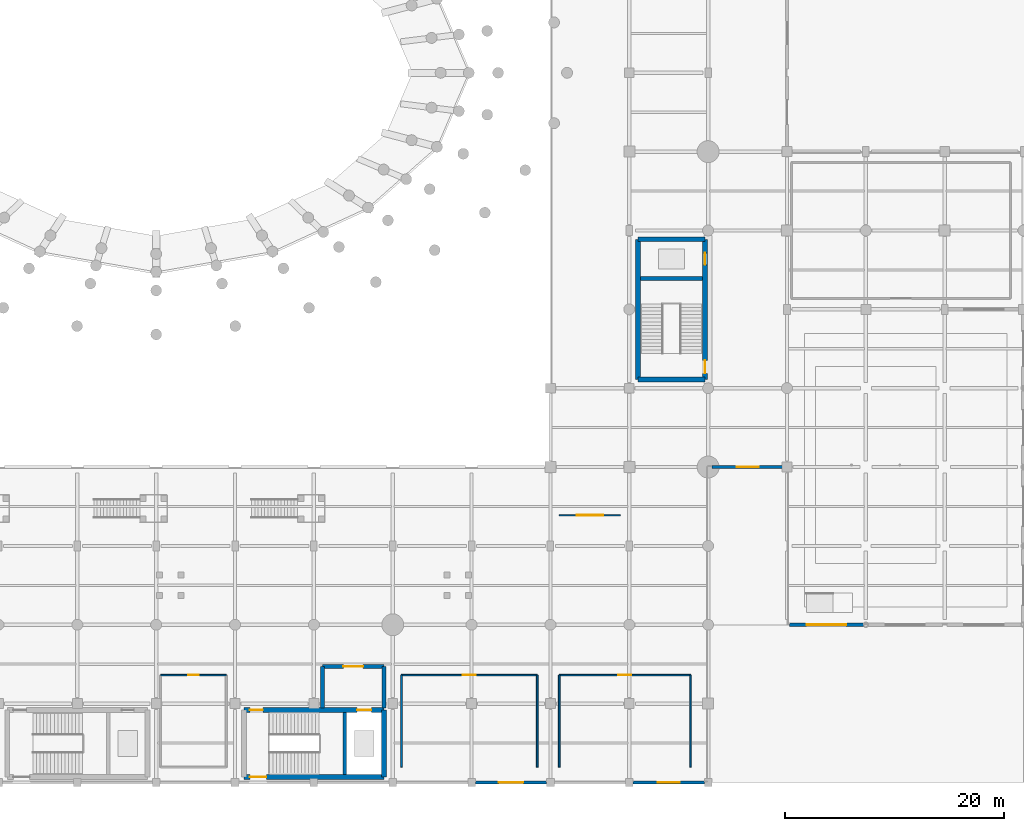
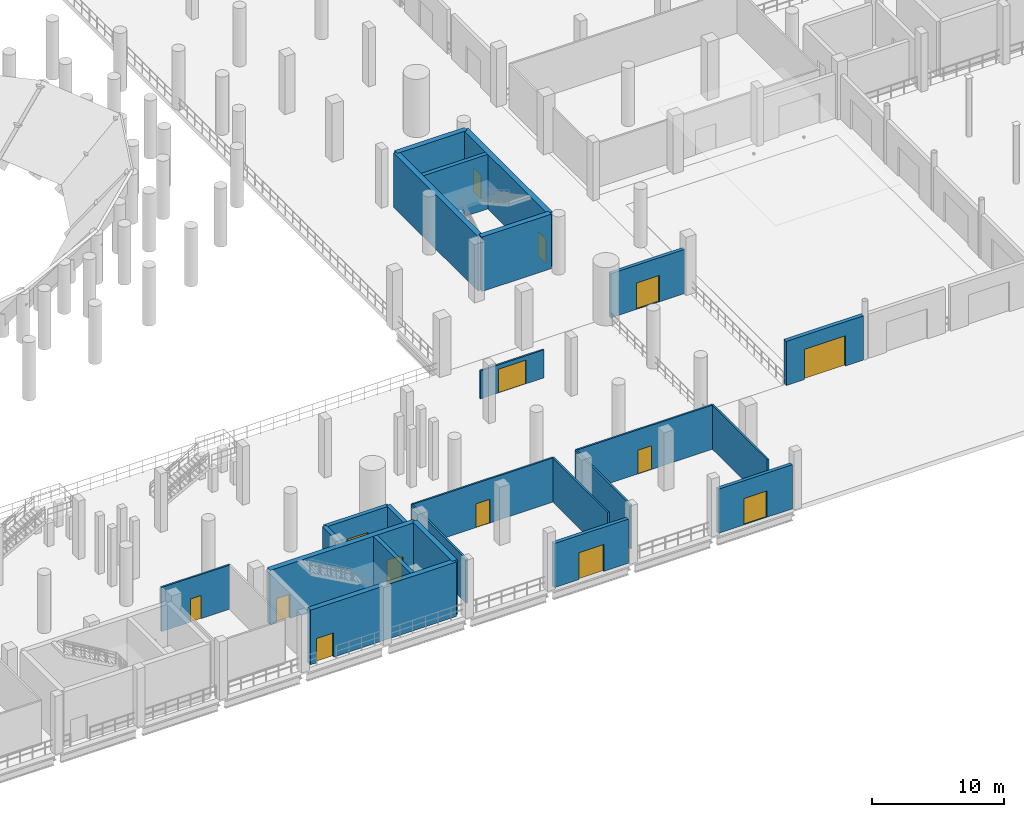
# One storey, part 34 of 58: 24 walls, 14 doors, 14 openings.
"""IFC4 building model written with IfcOpenShell, lengths in metres."""

from ifc_helpers import new_model, si_unit, direction, frame, frame_2d, origin, place, context, subcontext, project, spatial, rectangle, extrude, material, layer, layer_set, type_object, element, fill, save


model = new_model("IFC4")

# Units and contexts
model_context = context("Model", 3, precision=1e-05, world=origin(), true_north=direction((0.0, 1.0)))
body_context = subcontext(model_context, "Body", "Model", "MODEL_VIEW")
ifc_project = project(units=[si_unit("LENGTHUNIT", "METRE"), si_unit("AREAUNIT", "SQUARE_METRE"), si_unit("VOLUMEUNIT", "CUBIC_METRE"), si_unit("PLANEANGLEUNIT", "RADIAN"), si_unit("MASSUNIT", "GRAM", prefix="KILO")], contexts=[model_context])

# Site, building, storey
site_placement = place(None, origin())
site = spatial("IfcSite", under=ifc_project, at=site_placement, CompositionType="ELEMENT")
building_placement = place(site_placement, origin())
building = spatial("IfcBuilding", under=site, at=building_placement, Name="Qandorah Velis Arena", CompositionType="ELEMENT")
storey_placement = place(building_placement, origin())
storey = spatial("IfcBuildingStorey", under=building, at=storey_placement, Name="L00", CompositionType="ELEMENT", Elevation=0.0)

# Wall, opening, door
ifc_material_1 = material(Name="Precast concrete C40/50", Category="concrete")
ifc_layer_1 = layer(ifc_material_1, 0.2900390625)
ifc_layer_set_1 = layer_set([ifc_layer_1], Name="Precast concrete C40/50")
wall_type_1 = type_object("IfcWallType", Name="ARC-WAL-EXT290", PredefinedType="SOLIDWALL", material=ifc_layer_set_1)
wall_1_placement = place(storey_placement, frame((115.550048828125, 28.800048828125, 0.0), z_axis=(0.0, 0.0, 1.0), x_axis=(1.0, 0.0, 0.0)))
wall_1 = element("IfcWall", 1, at=wall_1_placement, inside=storey, type_object=wall_type_1, Name="Perimeter concourse exit wall G15", PredefinedType="SOLIDWALL", context=body_context, shape_type="SweptSolid", body=[
    extrude(rectangle(XDim=6.5, YDim=0.2900390625, at=frame_2d((3.25, 0.0))), origin(), (0.0, 0.0, 1.0), 4.10009765625),
])
opening_1_placement = place(wall_1_placement, frame((2.25, 0.0, 0.0)))
opening_1 = element("IfcOpeningElement", 2, at=opening_1_placement, cuts=wall_1, Name="Opening G15", PredefinedType="OPENING", context=body_context, shape_type="SweptSolid", body=[
    extrude(rectangle(XDim=2.0, YDim=2.449951171875, at=frame_2d((1.0, 1.22509765625))), frame((0.0, 0.155029296875, 0.0), z_axis=(0.0, -1.0, 0.0), x_axis=(1.0, 0.0, 0.0)), (0.0, 0.0, 1.0), 0.31005859375),
])
ifc_material_2 = material(Name="Insulated galvanized steel exit door", Category="steel")
door_type_1 = type_object("IfcDoorType", Name="ARC-DR-EXT2000", OperationType="NOTDEFINED", PredefinedType="DOOR", material=ifc_material_2)
door_1_placement = place(opening_1_placement, frame((2.0, 0.0, 0.0), z_axis=(0.0, 0.0, 1.0), x_axis=(-1.0, 0.0, 0.0)))
door_1 = element("IfcDoor", 3, at=door_1_placement, inside=storey, type_object=door_type_1, Name="Pedestrian exit door G15", OperationType="SINGLE_SWING_RIGHT", OverallHeight=2.449951171875, OverallWidth=2.0, PredefinedType="DOOR", context=body_context, shape_type="SweptSolid", body=[
    extrude(rectangle(XDim=2.0, YDim=2.449951171875, at=frame_2d((1.0, 1.22509765625))), frame((0.0, 0.02490234375, 0.0), z_axis=(0.0, -1.0, 0.0), x_axis=(1.0, 0.0, 0.0)), (0.0, 0.0, 1.0), 0.050048828125),
])
fill(opening_1, door_1)

wall_2_placement = place(storey_placement, frame((108.35009765625, 0.0, 0.0), z_axis=(0.0, 0.0, 1.0), x_axis=(1.0, 0.0, 0.0)))
wall_2 = element("IfcWall", 4, at=wall_2_placement, inside=storey, type_object=wall_type_1, Name="Perimeter concourse exit wall G27", PredefinedType="SOLIDWALL", context=body_context, shape_type="SweptSolid", body=[
    extrude(rectangle(XDim=6.5, YDim=0.2900390625, at=frame_2d((3.25, 0.0))), origin(), (0.0, 0.0, 1.0), 4.10009765625),
])
opening_2_placement = place(wall_2_placement, frame((2.25, 0.0, 0.0)))
opening_2 = element("IfcOpeningElement", 5, at=opening_2_placement, cuts=wall_2, Name="Opening G27", PredefinedType="OPENING", context=body_context, shape_type="SweptSolid", body=[
    extrude(rectangle(XDim=2.0, YDim=2.449951171875, at=frame_2d((1.0, 1.22509765625))), frame((0.0, 0.155029296875, 0.0), z_axis=(0.0, -1.0, 0.0), x_axis=(1.0, 0.0, 0.0)), (0.0, 0.0, 1.0), 0.31005859375),
])
door_2_placement = place(opening_2_placement, frame((2.0, 0.0, 0.0), z_axis=(0.0, 0.0, 1.0), x_axis=(-1.0, 0.0, 0.0)))
door_2 = element("IfcDoor", 6, at=door_2_placement, inside=storey, type_object=door_type_1, Name="Pedestrian exit door G27", OperationType="SINGLE_SWING_RIGHT", OverallHeight=2.449951171875, OverallWidth=2.0, PredefinedType="DOOR", context=body_context, shape_type="SweptSolid", body=[
    extrude(rectangle(XDim=2.0, YDim=2.449951171875, at=frame_2d((1.0, 1.22509765625))), frame((0.0, 0.02490234375, 0.0), z_axis=(0.0, -1.0, 0.0), x_axis=(1.0, 0.0, 0.0)), (0.0, 0.0, 1.0), 0.050048828125),
])
fill(opening_2, door_2)

ifc_layer_2 = layer(ifc_material_1, 0.31005859375)
ifc_layer_set_2 = layer_set([ifc_layer_2], Name="Precast concrete C40/50")
wall_type_2 = type_object("IfcWallType", Name="ARC-WAL-EXT310", PredefinedType="SOLIDWALL", material=ifc_layer_set_2)
wall_3_placement = place(storey_placement, frame((93.949951171875, 0.0, 0.0), z_axis=(0.0, 0.0, 1.0), x_axis=(1.0, 0.0, 0.0)))
wall_3 = element("IfcWall", 7, at=wall_3_placement, inside=storey, type_object=wall_type_2, Name="Perimeter concourse exit wall G14", PredefinedType="SOLIDWALL", context=body_context, shape_type="SweptSolid", body=[
    extrude(rectangle(XDim=6.5, YDim=0.31005859375, at=frame_2d((3.25, 0.0))), origin(), (0.0, 0.0, 1.0), 4.10009765625),
])
opening_3_placement = place(wall_3_placement, frame((2.14990234375, 0.0, 0.0)))
opening_3 = element("IfcOpeningElement", 8, at=opening_3_placement, cuts=wall_3, Name="Opening G14", PredefinedType="OPENING", context=body_context, shape_type="SweptSolid", body=[
    extrude(rectangle(XDim=2.199951171875, YDim=2.5, at=frame_2d((1.10009765625, 1.25))), frame((0.0, 0.1650390625, 0.0), z_axis=(0.0, -1.0, 0.0), x_axis=(1.0, 0.0, 0.0)), (0.0, 0.0, 1.0), 0.330078125),
])
door_type_2 = type_object("IfcDoorType", Name="ARC-DR-EXT2200", OperationType="NOTDEFINED", PredefinedType="DOOR", material=ifc_material_2)
door_3_placement = place(opening_3_placement, frame((2.199951171875, 0.0, 0.0), z_axis=(0.0, 0.0, 1.0), x_axis=(-1.0, 0.0, 0.0)))
door_3 = element("IfcDoor", 9, at=door_3_placement, inside=storey, type_object=door_type_2, Name="Pedestrian exit door G14", OperationType="SINGLE_SWING_LEFT", OverallHeight=2.5, OverallWidth=2.199951171875, PredefinedType="DOOR", context=body_context, shape_type="SweptSolid", body=[
    extrude(rectangle(XDim=2.199951171875, YDim=2.5, at=frame_2d((1.10009765625, 1.25))), frame((0.0, 0.02490234375, 0.0), z_axis=(0.0, -1.0, 0.0), x_axis=(1.0, 0.0, 0.0)), (0.0, 0.0, 1.0), 0.050048828125),
])
fill(opening_3, door_3)

ifc_layer_3 = layer(ifc_material_1, 0.340087890625)
ifc_layer_set_3 = layer_set([ifc_layer_3], Name="Precast concrete C40/50")
wall_type_3 = type_object("IfcWallType", Name="ARC-WAL-EXT340", PredefinedType="SOLIDWALL", material=ifc_layer_set_3)
wall_4_placement = place(storey_placement, frame((122.6201171875, 14.39990234375, 0.0), z_axis=(0.0, 0.0, 1.0), x_axis=(1.0, 0.0, 0.0)))
wall_4 = element("IfcWall", 10, at=wall_4_placement, inside=storey, type_object=wall_type_3, Name="Arrival foyer entrance portal wall 1", PredefinedType="SOLIDWALL", context=body_context, shape_type="SweptSolid", body=[
    extrude(rectangle(XDim=6.759765625, YDim=0.340087890625, at=frame_2d((3.3798828125, 0.0))), origin(), (0.0, 0.0, 1.0), 4.10009765625),
])
opening_4_placement = place(wall_4_placement, frame((1.580078125, 0.0, 0.0)))
opening_4 = element("IfcOpeningElement", 11, at=opening_4_placement, cuts=wall_4, Name="Opening E1", PredefinedType="OPENING", context=body_context, shape_type="SweptSolid", body=[
    extrude(rectangle(XDim=3.60009765625, YDim=2.800048828125, at=frame_2d((1.800048828125, 1.39990234375))), frame((0.0, 0.18017578125, 0.0), z_axis=(0.0, -1.0, 0.0), x_axis=(1.0, 0.0, 0.0)), (0.0, 0.0, 1.0), 0.360107421875),
])
ifc_material_3 = material(Name="Champagne-bronze glazed aluminium portal", Category="aluminium")
door_type_3 = type_object("IfcDoorType", Name="ARC-DR-ENT3600", OperationType="NOTDEFINED", PredefinedType="DOOR", material=ifc_material_3)
door_4_placement = place(opening_4_placement, frame((3.60009765625, 0.0, 0.0), z_axis=(0.0, 0.0, 1.0), x_axis=(-1.0, 0.0, 0.0)))
door_4 = element("IfcDoor", 12, at=door_4_placement, inside=storey, type_object=door_type_3, Name="Main entrance E1", OperationType="SINGLE_SWING_LEFT", OverallHeight=2.800048828125, OverallWidth=3.60009765625, PredefinedType="DOOR", context=body_context, shape_type="SweptSolid", body=[
    extrude(rectangle(XDim=3.60009765625, YDim=2.800048828125, at=frame_2d((1.800048828125, 1.39990234375))), frame((0.0, 0.02490234375, 0.0), z_axis=(0.0, -1.0, 0.0), x_axis=(1.0, 0.0, 0.0)), (0.0, 0.0, 1.0), 0.050048828125),
])
fill(opening_4, door_4)

# Wall
ifc_material_4 = material(Name="Concrete C35/45", Category="concrete")
ifc_layer_4 = layer(ifc_material_4, 0.14990234375)
ifc_layer_set_4 = layer_set([ifc_layer_4], Name="Concrete C35/45")
wall_type_4 = type_object("IfcWallType", Name="ARC-WAL-PART150", PredefinedType="PARTITIONING", material=ifc_layer_set_4)
wall_5_placement = place(storey_placement, frame((99.60009765625, 1.39990234375, 0.0), z_axis=(0.0, 0.0, 1.0), x_axis=(0.0, 1.0, 0.0)))
element("IfcWall", 13, at=wall_5_placement, inside=storey, type_object=wall_type_4, Name="Interior partition L00-KIO-SE (E)", PredefinedType="PARTITIONING", context=body_context, shape_type="SweptSolid", body=[
    extrude(rectangle(XDim=8.400146484375, YDim=0.14990234375, at=frame_2d((4.2001953125, 0.0))), origin(), (0.0, 0.0, 1.0), 4.10009765625),
])

# Wall, opening, door
wall_6_placement = place(storey_placement, frame((99.60009765625, 9.800048828125, 0.0), z_axis=(0.0, 0.0, 1.0), x_axis=(-1.0, 0.0, 0.0)))
wall_6 = element("IfcWall", 14, at=wall_6_placement, inside=storey, type_object=wall_type_4, Name="Interior partition L00-KIO-SE (N)", PredefinedType="PARTITIONING", context=body_context, shape_type="SweptSolid", body=[
    extrude(rectangle(XDim=12.400146484375, YDim=0.14990234375, at=frame_2d((6.2001953125, 0.0))), origin(), (0.0, 0.0, 1.0), 4.10009765625),
])
opening_5_placement = place(wall_6_placement, frame((5.60009765625, 0.0, 0.0)))
opening_5 = element("IfcOpeningElement", 15, at=opening_5_placement, cuts=wall_6, Name="Opening D2", PredefinedType="OPENING", context=body_context, shape_type="SweptSolid", body=[
    extrude(rectangle(XDim=1.199951171875, YDim=2.199951171875, at=frame_2d((0.60009765625, 1.10009765625))), frame((0.0, 0.0849609375, 0.0), z_axis=(0.0, -1.0, 0.0), x_axis=(1.0, 0.0, 0.0)), (0.0, 0.0, 1.0), 0.169921875),
])
ifc_material_5 = material(Name="Solid-core hardwood veneer door", Category="wood")
door_type_4 = type_object("IfcDoorType", Name="ARC-DR-INT1200", OperationType="NOTDEFINED", PredefinedType="DOOR", material=ifc_material_5)
door_5_placement = place(opening_5_placement, frame((1.199951171875, 0.0, 0.0), z_axis=(0.0, 0.0, 1.0), x_axis=(-1.0, 0.0, 0.0)))
door_5 = element("IfcDoor", 16, at=door_5_placement, inside=storey, type_object=door_type_4, Name="Door L00-KIO-SE", OperationType="SINGLE_SWING_RIGHT", OverallHeight=2.199951171875, OverallWidth=1.199951171875, PredefinedType="DOOR", context=body_context, shape_type="SweptSolid", body=[
    extrude(rectangle(XDim=1.199951171875, YDim=2.199951171875, at=frame_2d((0.60009765625, 1.10009765625))), frame((0.0, 0.02490234375, 0.0), z_axis=(0.0, -1.0, 0.0), x_axis=(1.0, 0.0, 0.0)), (0.0, 0.0, 1.0), 0.050048828125),
])
fill(opening_5, door_5)

# Walls
for number, where, z_axis, x_axis, name in (
    (17, (87.199951171875, 9.800048828125, 0.0), (0.0, 0.0, 1.0), (0.0, -1.0, 0.0), "Interior partition L00-KIO-SE (W)"),
    (18, (113.60009765625, 1.39990234375, 0.0), (0.0, 0.0, 1.0), (0.0, 1.0, 0.0), "Interior partition L00-FAID (E)"),
):
    element("IfcWall", number, at=place(storey_placement, frame(where, z_axis=z_axis, x_axis=x_axis)), inside=storey, type_object=wall_type_4, Name=name, PredefinedType="PARTITIONING", context=body_context, shape_type="SweptSolid", body=[
        extrude(rectangle(XDim=8.400146484375, YDim=0.14990234375, at=frame_2d((4.2001953125, 0.0))), origin(), (0.0, 0.0, 1.0), 4.10009765625),
    ])

# Wall, opening, door
wall_7_placement = place(storey_placement, frame((113.60009765625, 9.800048828125, 0.0), z_axis=(0.0, 0.0, 1.0), x_axis=(-1.0, 0.0, 0.0)))
wall_7 = element("IfcWall", 19, at=wall_7_placement, inside=storey, type_object=wall_type_4, Name="Interior partition L00-FAID (N)", PredefinedType="PARTITIONING", context=body_context, shape_type="SweptSolid", body=[
    extrude(rectangle(XDim=12.0, YDim=0.14990234375, at=frame_2d((6.0, 0.0))), origin(), (0.0, 0.0, 1.0), 4.10009765625),
])
opening_6_placement = place(wall_7_placement, frame((5.39990234375, 0.0, 0.0)))
opening_6 = element("IfcOpeningElement", 20, at=opening_6_placement, cuts=wall_7, Name="Opening D2", PredefinedType="OPENING", context=body_context, shape_type="SweptSolid", body=[
    extrude(rectangle(XDim=1.199951171875, YDim=2.199951171875, at=frame_2d((0.60009765625, 1.10009765625))), frame((0.0, 0.0849609375, 0.0), z_axis=(0.0, -1.0, 0.0), x_axis=(1.0, 0.0, 0.0)), (0.0, 0.0, 1.0), 0.169921875),
])
door_6_placement = place(opening_6_placement, origin())
door_6 = element("IfcDoor", 21, at=door_6_placement, inside=storey, type_object=door_type_4, Name="Door L00-FAID", OperationType="SINGLE_SWING_LEFT", OverallHeight=2.199951171875, OverallWidth=1.199951171875, PredefinedType="DOOR", context=body_context, shape_type="SweptSolid", body=[
    extrude(rectangle(XDim=1.199951171875, YDim=2.199951171875, at=frame_2d((0.60009765625, 1.10009765625))), frame((0.0, 0.02490234375, 0.0), z_axis=(0.0, -1.0, 0.0), x_axis=(1.0, 0.0, 0.0)), (0.0, 0.0, 1.0), 0.050048828125),
])
fill(opening_6, door_6)

# Wall
wall_8_placement = place(storey_placement, frame((101.60009765625, 9.800048828125, 0.0), z_axis=(0.0, 0.0, 1.0), x_axis=(0.0, -1.0, 0.0)))
element("IfcWall", 22, at=wall_8_placement, inside=storey, type_object=wall_type_4, Name="Interior partition L00-FAID (W)", PredefinedType="PARTITIONING", context=body_context, shape_type="SweptSolid", body=[
    extrude(rectangle(XDim=8.400146484375, YDim=0.14990234375, at=frame_2d((4.2001953125, 0.0))), origin(), (0.0, 0.0, 1.0), 4.10009765625),
])

# Wall, opening, door
wall_9_placement = place(storey_placement, frame((71.199951171875, 9.800048828125, 0.0), z_axis=(0.0, 0.0, 1.0), x_axis=(-1.0, 0.0, 0.0)))
wall_9 = element("IfcWall", 23, at=wall_9_placement, inside=storey, type_object=wall_type_4, Name="Interior partition L00-L00-FWC1 (N)", PredefinedType="PARTITIONING", context=body_context, shape_type="SweptSolid", body=[
    extrude(rectangle(XDim=6.0, YDim=0.14990234375, at=frame_2d((3.0, 0.0))), origin(), (0.0, 0.0, 1.0), 4.10009765625),
])
opening_7_placement = place(wall_9_placement, frame((2.52490234375, 0.0, 0.0)))
opening_7 = element("IfcOpeningElement", 24, at=opening_7_placement, cuts=wall_9, Name="Opening D4", PredefinedType="OPENING", context=body_context, shape_type="SweptSolid", body=[
    extrude(rectangle(XDim=0.949951171875, YDim=2.14990234375, at=frame_2d((0.47509765625, 1.074951171875))), frame((0.0, 0.0849609375, 0.0), z_axis=(0.0, -1.0, 0.0), x_axis=(1.0, 0.0, 0.0)), (0.0, 0.0, 1.0), 0.169921875),
])
ifc_material_6 = material(Name="Moisture-resistant laminate door")
door_type_5 = type_object("IfcDoorType", Name="ARC-DR-WC950", OperationType="NOTDEFINED", PredefinedType="DOOR", material=ifc_material_6)
door_7_placement = place(opening_7_placement, origin())
door_7 = element("IfcDoor", 25, at=door_7_placement, inside=storey, type_object=door_type_5, Name="Door L00-L00-FWC1", OperationType="SINGLE_SWING_LEFT", OverallHeight=2.14990234375, OverallWidth=0.949951171875, PredefinedType="DOOR", context=body_context, shape_type="SweptSolid", body=[
    extrude(rectangle(XDim=0.949951171875, YDim=2.14990234375, at=frame_2d((0.47509765625, 1.074951171875))), frame((0.0, 0.02490234375, 0.0), z_axis=(0.0, -1.0, 0.0), x_axis=(1.0, 0.0, 0.0)), (0.0, 0.0, 1.0), 0.050048828125),
])
fill(opening_7, door_7)

wall_10_placement = place(storey_placement, frame((101.60009765625, 24.39990234375, 0.0), z_axis=(0.0, 0.0, 1.0), x_axis=(1.0, 0.0, 0.0)))
wall_10 = element("IfcWall", 26, at=wall_10_placement, inside=storey, type_object=wall_type_4, Name="Concourse control screen wall 02", PredefinedType="PARTITIONING", context=body_context, shape_type="SweptSolid", body=[
    extrude(rectangle(XDim=5.599853515625, YDim=0.14990234375, at=frame_2d((2.7998046875, 0.0))), origin(), (0.0, 0.0, 1.0), 2.60009765625),
])
opening_8_placement = place(wall_10_placement, frame((1.60009765625, 0.0, 0.0)))
opening_8 = element("IfcOpeningElement", 27, at=opening_8_placement, cuts=wall_10, Name="Opening GT1", PredefinedType="OPENING", context=body_context, shape_type="SweptSolid", body=[
    extrude(rectangle(XDim=2.39990234375, YDim=2.199951171875, at=frame_2d((1.199951171875, 1.10009765625))), frame((0.0, 0.0849609375, 0.0), z_axis=(0.0, -1.0, 0.0), x_axis=(1.0, 0.0, 0.0)), (0.0, 0.0, 1.0), 0.169921875),
])
ifc_material_7 = material(Name="Galvanized steel concourse vomitory gate", Category="steel")
door_type_6 = type_object("IfcDoorType", Name="ARC-DR-GAT2400", OperationType="NOTDEFINED", PredefinedType="GATE", material=ifc_material_7)
door_8_placement = place(opening_8_placement, origin())
door_8 = element("IfcDoor", 28, at=door_8_placement, inside=storey, type_object=door_type_6, Name="Concourse vomitory gate GT2", OperationType="DOUBLE_DOOR_SINGLE_SWING", OverallHeight=2.199951171875, OverallWidth=2.39990234375, PredefinedType="GATE", context=body_context, shape_type="SweptSolid", body=[
    extrude(rectangle(XDim=2.39990234375, YDim=2.199951171875, at=frame_2d((1.199951171875, 1.10009765625))), frame((0.0, 0.02490234375, 0.0), z_axis=(0.0, -1.0, 0.0), x_axis=(1.0, 0.0, 0.0)), (0.0, 0.0, 1.0), 0.050048828125),
])
fill(opening_8, door_8)

ifc_material_8 = material(Name="Concrete C40/50", Category="concrete")
ifc_layer_5 = layer(ifc_material_8, 0.449951171875)
ifc_layer_set_5 = layer_set([ifc_layer_5], Name="Concrete C40/50")
wall_type_5 = type_object("IfcWallType", Name="STR-WAL-CORE450", PredefinedType="SHEAR", material=ifc_layer_set_5)
wall_11_placement = place(storey_placement, frame((72.800048828125, 0.5, 0.0), z_axis=(0.0, 0.0, 1.0), x_axis=(1.0, 0.0, 0.0)))
wall_11 = element("IfcWall", 29, at=wall_11_placement, inside=storey, type_object=wall_type_5, Name="Core CORE-02 shear wall S (L00)", PredefinedType="SHEAR", context=body_context, shape_type="SweptSolid", body=[
    extrude(rectangle(XDim=12.800048828125, YDim=0.449951171875, at=frame_2d((6.39990234375, 0.0))), origin(), (0.0, 0.0, 1.0), 5.06005859375),
])
opening_9_placement = place(wall_11_placement, frame((0.550048828125, 0.0, 0.0)))
opening_9 = element("IfcOpeningElement", 30, at=opening_9_placement, cuts=wall_11, Name="Opening SD2", PredefinedType="OPENING", context=body_context, shape_type="SweptSolid", body=[
    extrude(rectangle(XDim=1.5, YDim=2.25, at=frame_2d((0.75, 1.125))), frame((0.0, 0.23486328125, 0.0), z_axis=(0.0, -1.0, 0.0), x_axis=(1.0, 0.0, 0.0)), (0.0, 0.0, 1.0), 0.469970703125),
])
ifc_material_9 = material(Name="Self-closing fire-rated stair exit door")
door_type_7 = type_object("IfcDoorType", Name="ARC-DR-ST1500", OperationType="NOTDEFINED", PredefinedType="DOOR", material=ifc_material_9)
door_9_placement = place(opening_9_placement, frame((1.5, 0.0, 0.0), z_axis=(0.0, 0.0, 1.0), x_axis=(-1.0, 0.0, 0.0)))
door_9 = element("IfcDoor", 31, at=door_9_placement, inside=storey, type_object=door_type_7, Name="Stair ST2 final exit discharge door", OperationType="SINGLE_SWING_LEFT", OverallHeight=2.25, OverallWidth=1.5, PredefinedType="DOOR", context=body_context, shape_type="SweptSolid", body=[
    extrude(rectangle(XDim=1.5, YDim=2.25, at=frame_2d((0.75, 1.125))), frame((0.0, 0.02490234375, 0.0), z_axis=(0.0, -1.0, 0.0), x_axis=(1.0, 0.0, 0.0)), (0.0, 0.0, 1.0), 0.050048828125),
])
fill(opening_9, door_9)

# Wall, openings, doors
wall_12_placement = place(storey_placement, frame((72.800048828125, 6.60009765625, 0.0), z_axis=(0.0, 0.0, 1.0), x_axis=(1.0, 0.0, 0.0)))
wall_12 = element("IfcWall", 32, at=wall_12_placement, inside=storey, type_object=wall_type_5, Name="Core CORE-02 shear wall N (L00)", PredefinedType="SHEAR", context=body_context, shape_type="SweptSolid", body=[
    extrude(rectangle(XDim=12.800048828125, YDim=0.449951171875, at=frame_2d((6.39990234375, 0.0))), origin(), (0.0, 0.0, 1.0), 5.06005859375),
])
opening_10_placement = place(wall_12_placement, frame((0.550048828125, 0.0, 0.0)))
opening_10 = element("IfcOpeningElement", 33, at=opening_10_placement, cuts=wall_12, Name="Opening SD1", PredefinedType="OPENING", context=body_context, shape_type="SweptSolid", body=[
    extrude(rectangle(XDim=1.199951171875, YDim=2.25, at=frame_2d((0.60009765625, 1.125))), frame((0.0, 0.23486328125, 0.0), z_axis=(0.0, -1.0, 0.0), x_axis=(1.0, 0.0, 0.0)), (0.0, 0.0, 1.0), 0.469970703125),
])
opening_11_placement = place(wall_12_placement, frame((10.35791015625, 0.0, 0.0)))
opening_11 = element("IfcOpeningElement", 34, at=opening_11_placement, cuts=wall_12, Name="Opening LD2", PredefinedType="OPENING", context=body_context, shape_type="SweptSolid", body=[
    extrude(rectangle(XDim=1.300048828125, YDim=2.25, at=frame_2d((0.64990234375, 1.125))), frame((0.0, 0.23486328125, 0.0), z_axis=(0.0, -1.0, 0.0), x_axis=(1.0, 0.0, 0.0)), (0.0, 0.0, 1.0), 0.469970703125),
])
ifc_material_10 = material(Name="Firefighting stainless sliding lift landing door", Category="steel")
door_type_8 = type_object("IfcDoorType", Name="ARC-DR-LD1300", OperationType="NOTDEFINED", PredefinedType="DOOR", material=ifc_material_10)
door_10_placement = place(opening_11_placement, origin())
door_10 = element("IfcDoor", 35, at=door_10_placement, inside=storey, type_object=door_type_8, Name="Lift FL2 sliding landing door (L00)", OperationType="SLIDING_TO_RIGHT", OverallHeight=2.25, OverallWidth=1.300048828125, PredefinedType="DOOR", context=body_context, shape_type="SweptSolid", body=[
    extrude(rectangle(XDim=1.300048828125, YDim=2.25, at=frame_2d((0.64990234375, 1.125))), frame((0.0, 0.02490234375, 0.0), z_axis=(0.0, -1.0, 0.0), x_axis=(1.0, 0.0, 0.0)), (0.0, 0.0, 1.0), 0.050048828125),
])
fill(opening_11, door_10)
ifc_material_11 = material(Name="Self-closing fire-rated stair steel door", Category="steel")
door_type_9 = type_object("IfcDoorType", Name="ARC-DR-ST1200", OperationType="NOTDEFINED", PredefinedType="DOOR", material=ifc_material_11)
door_11_placement = place(opening_10_placement, origin())
door_11 = element("IfcDoor", 36, at=door_11_placement, inside=storey, type_object=door_type_9, Name="Stair ST2 fire door (L00)", OperationType="SINGLE_SWING_RIGHT", OverallHeight=2.25, OverallWidth=1.199951171875, PredefinedType="DOOR", context=body_context, shape_type="SweptSolid", body=[
    extrude(rectangle(XDim=1.199951171875, YDim=2.25, at=frame_2d((0.60009765625, 1.125))), frame((0.0, 0.02490234375, 0.0), z_axis=(0.0, -1.0, 0.0), x_axis=(1.0, 0.0, 0.0)), (0.0, 0.0, 1.0), 0.050048828125),
])
fill(opening_10, door_11)

# Walls
wall_13_placement = place(storey_placement, frame((85.60009765625, 0.5, 0.0), z_axis=(0.0, 0.0, 1.0), x_axis=(0.0, 1.0, 0.0)))
element("IfcWall", 37, at=wall_13_placement, inside=storey, type_object=wall_type_5, Name="Core CORE-02 shear wall E (L00)", PredefinedType="SHEAR", context=body_context, shape_type="SweptSolid", body=[
    extrude(rectangle(XDim=6.10009765625, YDim=0.449951171875, at=frame_2d((3.050048828125, 0.0))), origin(), (0.0, 0.0, 1.0), 5.06005859375),
])
for number, where, z_axis, x_axis, name in (
    (38, (108.800048828125, 36.800048828125, 0.0), (0.0, 0.0, 1.0), (1.0, 0.0, 0.0), "Core CORE-11 shear wall S (L00)"),
    (39, (108.800048828125, 49.60009765625, 0.0), (0.0, 0.0, 1.0), (1.0, 0.0, 0.0), "Core CORE-11 shear wall N (L00)"),
):
    element("IfcWall", number, at=place(storey_placement, frame(where, z_axis=z_axis, x_axis=x_axis)), inside=storey, type_object=wall_type_5, Name=name, PredefinedType="SHEAR", context=body_context, shape_type="SweptSolid", body=[
        extrude(rectangle(XDim=6.099853515625, YDim=0.449951171875, at=frame_2d((3.0498046875, 0.0))), origin(), (0.0, 0.0, 1.0), 5.06005859375),
    ])
wall_14_placement = place(storey_placement, frame((108.800048828125, 36.800048828125, 0.0), z_axis=(0.0, 0.0, 1.0), x_axis=(0.0, 1.0, 0.0)))
element("IfcWall", 40, at=wall_14_placement, inside=storey, type_object=wall_type_5, Name="Core CORE-11 shear wall W (L00)", PredefinedType="SHEAR", context=body_context, shape_type="SweptSolid", body=[
    extrude(rectangle(XDim=12.800048828125, YDim=0.449951171875, at=frame_2d((6.39990234375, 0.0))), origin(), (0.0, 0.0, 1.0), 5.06005859375),
])

# Wall, openings, doors
wall_15_placement = place(storey_placement, frame((114.89990234375, 36.800048828125, 0.0), z_axis=(0.0, 0.0, 1.0), x_axis=(0.0, 1.0, 0.0)))
wall_15 = element("IfcWall", 41, at=wall_15_placement, inside=storey, type_object=wall_type_5, Name="Core CORE-11 shear wall E (L00)", PredefinedType="SHEAR", context=body_context, shape_type="SweptSolid", body=[
    extrude(rectangle(XDim=12.800048828125, YDim=0.449951171875, at=frame_2d((6.39990234375, 0.0))), origin(), (0.0, 0.0, 1.0), 5.06005859375),
])
opening_12_placement = place(wall_15_placement, frame((0.550048828125, 0.0, 0.0)))
opening_12 = element("IfcOpeningElement", 42, at=opening_12_placement, cuts=wall_15, Name="Opening SD1", PredefinedType="OPENING", context=body_context, shape_type="SweptSolid", body=[
    extrude(rectangle(XDim=1.199951171875, YDim=2.25, at=frame_2d((0.60009765625, 1.125))), frame((0.0, 0.23486328125, 0.0), z_axis=(0.0, -1.0, 0.0), x_axis=(1.0, 0.0, 0.0)), (0.0, 0.0, 1.0), 0.469970703125),
])
opening_13_placement = place(wall_15_placement, frame((10.4580078125, 0.0, 0.0)))
opening_13 = element("IfcOpeningElement", 43, at=opening_13_placement, cuts=wall_15, Name="Opening LD1", PredefinedType="OPENING", context=body_context, shape_type="SweptSolid", body=[
    extrude(rectangle(XDim=1.10009765625, YDim=2.199951171875, at=frame_2d((0.550048828125, 1.10009765625))), frame((0.0, 0.23486328125, 0.0), z_axis=(0.0, -1.0, 0.0), x_axis=(1.0, 0.0, 0.0)), (0.0, 0.0, 1.0), 0.469970703125),
])
ifc_material_12 = material(Name="Stainless steel sliding lift landing door", Category="steel")
door_type_10 = type_object("IfcDoorType", Name="ARC-DR-LD1100", OperationType="NOTDEFINED", PredefinedType="DOOR", material=ifc_material_12)
door_12_placement = place(opening_13_placement, origin())
door_12 = element("IfcDoor", 44, at=door_12_placement, inside=storey, type_object=door_type_10, Name="Lift PL8 sliding landing door (L00)", OperationType="SLIDING_TO_LEFT", OverallHeight=2.199951171875, OverallWidth=1.10009765625, PredefinedType="DOOR", context=body_context, shape_type="SweptSolid", body=[
    extrude(rectangle(XDim=1.10009765625, YDim=2.199951171875, at=frame_2d((0.550048828125, 1.10009765625))), frame((0.0, 0.02490234375, 0.0), z_axis=(0.0, -1.0, 0.0), x_axis=(1.0, 0.0, 0.0)), (0.0, 0.0, 1.0), 0.050048828125),
])
fill(opening_13, door_12)
door_13_placement = place(opening_12_placement, frame((1.199951171875, 0.0, 0.0), z_axis=(0.0, 0.0, 1.0), x_axis=(-1.0, 0.0, 0.0)))
door_13 = element("IfcDoor", 45, at=door_13_placement, inside=storey, type_object=door_type_9, Name="Stair ST11 fire door (L00)", OperationType="SINGLE_SWING_RIGHT", OverallHeight=2.25, OverallWidth=1.199951171875, PredefinedType="DOOR", context=body_context, shape_type="SweptSolid", body=[
    extrude(rectangle(XDim=1.199951171875, YDim=2.25, at=frame_2d((0.60009765625, 1.125))), frame((0.0, 0.02490234375, 0.0), z_axis=(0.0, -1.0, 0.0), x_axis=(1.0, 0.0, 0.0)), (0.0, 0.0, 1.0), 0.050048828125),
])
fill(opening_12, door_13)

# Walls
ifc_layer_6 = layer(ifc_material_8, 0.35009765625)
ifc_layer_set_6 = layer_set([ifc_layer_6], Name="Concrete C40/50")
wall_type_6 = type_object("IfcWallType", Name="STR-WAL-SH350", PredefinedType="SHEAR", material=ifc_layer_set_6)
wall_16_placement = place(storey_placement, frame((82.01611328125, 0.72509765625, 0.0), z_axis=(0.0, 0.0, 1.0), x_axis=(0.0, 1.0, 0.0)))
element("IfcWall", 46, at=wall_16_placement, inside=storey, type_object=wall_type_6, Name="Core CORE-02 shaft divider shear wall (L00)", PredefinedType="SHEAR", context=body_context, shape_type="SweptSolid", body=[
    extrude(rectangle(XDim=5.64990234375, YDim=0.35009765625, at=frame_2d((2.824951171875, 0.0))), origin(), (0.0, 0.0, 1.0), 5.06005859375),
])
wall_17_placement = place(storey_placement, frame((109.02490234375, 46.01611328125, 0.0), z_axis=(0.0, 0.0, 1.0), x_axis=(1.0, 0.0, 0.0)))
element("IfcWall", 47, at=wall_17_placement, inside=storey, type_object=wall_type_6, Name="Core CORE-11 shaft divider shear wall (L00)", PredefinedType="SHEAR", context=body_context, shape_type="SweptSolid", body=[
    extrude(rectangle(XDim=5.650146484375, YDim=0.35009765625, at=frame_2d((2.8251953125, 0.0))), origin(), (0.0, 0.0, 1.0), 5.06005859375),
])
wall_18_placement = place(storey_placement, frame((85.60009765625, 6.800048828125, 0.0), z_axis=(0.0, 0.0, 1.0), x_axis=(0.0, 1.0, 0.0)))
element("IfcWall", 48, at=wall_18_placement, inside=storey, type_object=wall_type_6, Name="Interior partition FFL-FL2-L00 (E)", PredefinedType="SHEAR", context=body_context, shape_type="SweptSolid", body=[
    extrude(rectangle(XDim=3.800048828125, YDim=0.35009765625, at=frame_2d((1.89990234375, 0.0))), origin(), (0.0, 0.0, 1.0), 4.10009765625),
])

# Wall, opening, door
wall_19_placement = place(storey_placement, frame((85.60009765625, 10.60009765625, 0.0), z_axis=(0.0, 0.0, 1.0), x_axis=(-1.0, 0.0, 0.0)))
wall_19 = element("IfcWall", 49, at=wall_19_placement, inside=storey, type_object=wall_type_6, Name="Interior partition FFL-FL2-L00 (N)", PredefinedType="SHEAR", context=body_context, shape_type="SweptSolid", body=[
    extrude(rectangle(XDim=5.60009765625, YDim=0.35009765625, at=frame_2d((2.800048828125, 0.0))), origin(), (0.0, 0.0, 1.0), 4.10009765625),
])
opening_14_placement = place(wall_19_placement, frame((1.89990234375, 0.0, 0.0)))
opening_14 = element("IfcOpeningElement", 50, at=opening_14_placement, cuts=wall_19, Name="Opening FD1", PredefinedType="OPENING", context=body_context, shape_type="SweptSolid", body=[
    extrude(rectangle(XDim=1.800048828125, YDim=2.300048828125, at=frame_2d((0.89990234375, 1.14990234375))), frame((0.0, 0.18505859375, 0.0), z_axis=(0.0, -1.0, 0.0), x_axis=(1.0, 0.0, 0.0)), (0.0, 0.0, 1.0), 0.3701171875),
])
ifc_material_13 = material(Name="Insulated fire-rated double steel door", Category="steel")
door_type_11 = type_object("IfcDoorType", Name="ARC-DR-FD1800", OperationType="NOTDEFINED", PredefinedType="DOOR", material=ifc_material_13)
door_14_placement = place(opening_14_placement, frame((1.800048828125, 0.0, 0.0), z_axis=(0.0, 0.0, 1.0), x_axis=(-1.0, 0.0, 0.0)))
door_14 = element("IfcDoor", 51, at=door_14_placement, inside=storey, type_object=door_type_11, Name="Door FFL-FL2-L00", OperationType="DOUBLE_DOOR_SINGLE_SWING", OverallHeight=2.300048828125, OverallWidth=1.800048828125, PredefinedType="DOOR", context=body_context, shape_type="SweptSolid", body=[
    extrude(rectangle(XDim=1.800048828125, YDim=2.300048828125, at=frame_2d((0.89990234375, 1.14990234375))), frame((0.0, 0.02490234375, 0.0), z_axis=(0.0, -1.0, 0.0), x_axis=(1.0, 0.0, 0.0)), (0.0, 0.0, 1.0), 0.050048828125),
])
fill(opening_14, door_14)

# Wall
wall_20_placement = place(storey_placement, frame((80.0, 10.60009765625, 0.0), z_axis=(0.0, 0.0, 1.0), x_axis=(0.0, -1.0, 0.0)))
element("IfcWall", 52, at=wall_20_placement, inside=storey, type_object=wall_type_6, Name="Interior partition FFL-FL2-L00 (W)", PredefinedType="SHEAR", context=body_context, shape_type="SweptSolid", body=[
    extrude(rectangle(XDim=3.800048828125, YDim=0.35009765625, at=frame_2d((1.89990234375, 0.0))), origin(), (0.0, 0.0, 1.0), 4.10009765625),
])

save(model, "model.ifc")
